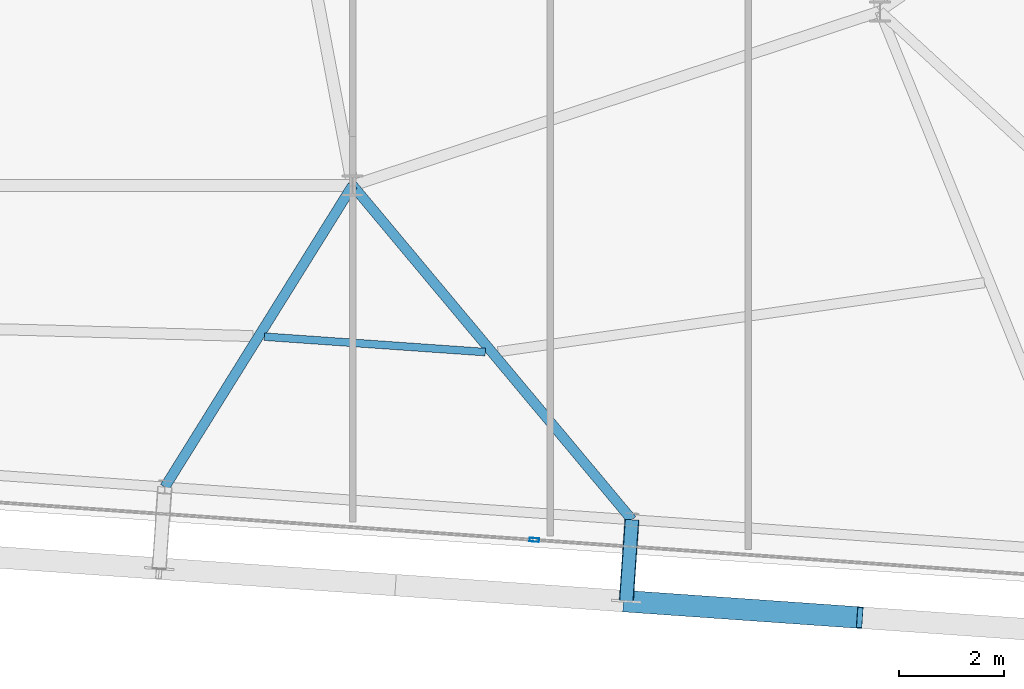
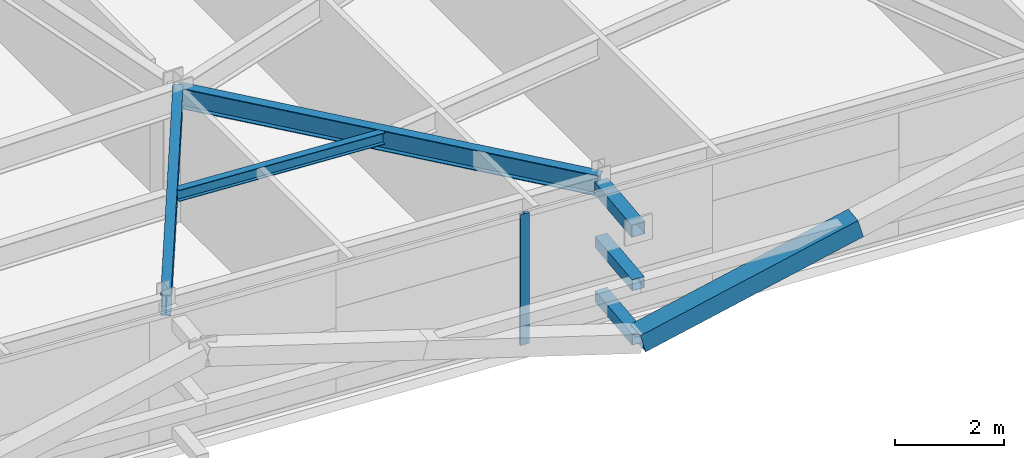
# One storey, part 13 of 39: 5 members, 3 beams, 1 element without a shape of its own.
"""IFC4 building model written with IfcOpenShell, lengths in metres."""

import ifcopenshell
import ifcopenshell.guid

model = None  # the IFC model being written
_history = None  # IfcOwnerHistory: only IFC2X3 demands one
_inside = {}  # id of a spatial element -> (the spatial element, [elements in it])
_under = {}  # id of a project, library or spatial element -> (it, [spatial elements below it])
_declared = {}  # id of a project -> (the project, [libraries it declares])
_typed = {}  # id of a type object -> (the type object, [elements of that type])
_made_of = {}  # id of a material, layer set ... -> (it, [elements and type objects made of it])


def new_model(schema):
    """Start an empty IFC model of exactly this schema.

    Asked for "IFC4X3", IfcOpenShell would pick the latest addendum, in which some entities
    have other attributes; the version numbers below select the first issue.
    IFC2X3 requires an IfcOwnerHistory on every rooted entity: one is made here for all.
    """
    global model, _history
    if schema == "IFC4X3":
        model = ifcopenshell.file(schema_version=(4, 3, 0, 0))
    else:
        model = ifcopenshell.file(schema=schema)
    _inside.clear()
    _under.clear()
    _declared.clear()
    _typed.clear()
    _made_of.clear()
    _history = None
    if model.schema == "IFC2X3":
        org = make("IfcOrganization", Name="unknown")
        user = make(
            "IfcPersonAndOrganization",
            ThePerson=make("IfcPerson", FamilyName="unknown"),
            TheOrganization=org,
        )
        app = make(
            "IfcApplication",
            ApplicationDeveloper=org,
            Version="unknown",
            ApplicationFullName="unknown",
            ApplicationIdentifier="unknown",
        )
        _history = make(
            "IfcOwnerHistory",
            OwningUser=user,
            OwningApplication=app,
            ChangeAction="ADDED",
            CreationDate=0,
        )
    return model


def make(cls, **values):
    """One entity of the class cls with the attributes given. An attribute that is None is left unset."""
    return model.create_entity(
        cls, **{name: value for name, value in values.items() if value is not None}
    )


def rooted(cls, **values):
    """An entity with a GlobalId (a new one), such as an element, a storey or a relation."""
    return make(cls, GlobalId=ifcopenshell.guid.new(), OwnerHistory=_history, **values)


def si_unit(unit_type, name, prefix=None):
    """IfcSIUnit, for example si_unit("LENGTHUNIT", "METRE", prefix="MILLI")."""
    return make("IfcSIUnit", UnitType=unit_type, Prefix=prefix, Name=name)


def assignment(units):
    """IfcUnitAssignment: the units of a project."""
    return None if units is None else make("IfcUnitAssignment", Units=units)


def point(xyz):
    """IfcCartesianPoint."""
    return None if xyz is None else make("IfcCartesianPoint", Coordinates=xyz)


def direction(xyz):
    """IfcDirection."""
    return None if xyz is None else make("IfcDirection", DirectionRatios=xyz)


def frame(location, z_axis=None, x_axis=None):
    """IfcAxis2Placement3D, a coordinate frame: its origin and axes. An axis left out is left unset."""
    return make(
        "IfcAxis2Placement3D",
        Location=point(location),
        Axis=direction(z_axis),
        RefDirection=direction(x_axis),
    )


def frame_2d(location, x_axis=None):
    """IfcAxis2Placement2D, a coordinate frame in the plane: its origin and x axis."""
    return make(
        "IfcAxis2Placement2D", Location=point(location), RefDirection=direction(x_axis)
    )


def origin():
    """The frame at (0, 0, 0) with its axes left unset."""
    return frame((0.0, 0.0, 0.0))


def origin_2d():
    """The frame at (0, 0) in the plane with its x axis left unset."""
    return frame_2d((0.0, 0.0))


def place(relative_to, where):
    """IfcLocalPlacement: puts the frame where relative to a parent placement (None: the world)."""
    return make(
        "IfcLocalPlacement", PlacementRelTo=relative_to, RelativePlacement=where
    )


def context(
    kind, dimensions, precision=None, world=None, true_north=None, identifier=None
):
    """IfcGeometricRepresentationContext, for example the 3D "Model" context."""
    return make(
        "IfcGeometricRepresentationContext",
        ContextIdentifier=identifier,
        ContextType=kind,
        CoordinateSpaceDimension=dimensions,
        Precision=precision,
        WorldCoordinateSystem=world,
        TrueNorth=true_north,
    )


def subcontext(parent, identifier, kind, view, scale=None):
    """IfcGeometricRepresentationSubContext, for example "Body" below "Model"."""
    return make(
        "IfcGeometricRepresentationSubContext",
        ContextIdentifier=identifier,
        ContextType=kind,
        ParentContext=parent,
        TargetScale=scale,
        TargetView=view,
    )


def project(units=None, contexts=None):
    """IfcProject with its units and contexts."""
    return rooted(
        "IfcProject",
        Name="project",
        RepresentationContexts=contexts,
        UnitsInContext=assignment(units),
    )


def spatial(cls, under=None, at=None, **own):
    """A site, building, storey or space (cls), placed at a placement, below another one or the project."""
    s = rooted(cls, ObjectPlacement=at, **own)
    if under is not None:
        _under.setdefault(under.id(), (under, []))[1].append(s)
    return s


def profile(cls, at=None, kind="AREA", **sizes):
    """A parametric profile (cls). Its sizes go by their IFC names, for example OverallWidth=200.0."""
    return make(cls, ProfileType=kind, Position=at, **sizes)


def hollow_rectangle(**sizes):
    """IfcRectangleHollowProfileDef."""
    return profile("IfcRectangleHollowProfileDef", **sizes)


def i_section(**sizes):
    """IfcIShapeProfileDef."""
    return profile("IfcIShapeProfileDef", **sizes)


def extrude(swept, where, along, depth):
    """IfcExtrudedAreaSolid: the profile swept, set in the frame where, extruded along a direction by depth."""
    return make(
        "IfcExtrudedAreaSolid",
        SweptArea=swept,
        Position=where,
        ExtrudedDirection=direction(along),
        Depth=depth,
    )


def shape(context_of_items, identifier, shape_type, items):
    """IfcShapeRepresentation: the items that make up one representation, for example the "Body"."""
    return make(
        "IfcShapeRepresentation",
        ContextOfItems=context_of_items,
        RepresentationIdentifier=identifier,
        RepresentationType=shape_type,
        Items=items,
    )


def source(mapping_origin, context_of_items, identifier, shape_type, items):
    """IfcRepresentationMap: a shape defined once, which mapped items show again and again."""
    return make(
        "IfcRepresentationMap",
        MappingOrigin=mapping_origin,
        MappedRepresentation=shape(context_of_items, identifier, shape_type, items),
    )


def transform(
    local_origin,
    x_axis=None,
    y_axis=None,
    z_axis=None,
    scale=None,
    scale2=None,
    scale3=None,
    uniform=True,
):
    """IfcCartesianTransformationOperator3D, or its non-uniform kind. x_axis, y_axis, z_axis: its Axis1, 2, 3."""
    if uniform:
        return make(
            "IfcCartesianTransformationOperator3D",
            Axis1=direction(x_axis),
            Axis2=direction(y_axis),
            LocalOrigin=point(local_origin),
            Scale=scale,
            Axis3=direction(z_axis),
        )
    return make(
        "IfcCartesianTransformationOperator3DnonUniform",
        Axis1=direction(x_axis),
        Axis2=direction(y_axis),
        LocalOrigin=point(local_origin),
        Scale=scale,
        Axis3=direction(z_axis),
        Scale2=scale2,
        Scale3=scale3,
    )


def mapped(mapping_source, mapping_target):
    """IfcMappedItem: shows the shape of a source again, moved by a transform."""
    return make(
        "IfcMappedItem", MappingSource=mapping_source, MappingTarget=mapping_target
    )


def material(Name=None, Category=None):
    """IfcMaterial."""
    return make("IfcMaterial", Name=Name, Category=Category)


def layer(
    of_material, thickness, ventilated=None, Name=None, Category=None, Priority=None
):
    """IfcMaterialLayer: one layer of a wall or slab, of a material (None: an air gap)."""
    return make(
        "IfcMaterialLayer",
        Material=of_material,
        LayerThickness=thickness,
        IsVentilated=ventilated,
        Name=Name,
        Category=Category,
        Priority=Priority,
    )


def layer_set(layers, Name=None):
    """IfcMaterialLayerSet."""
    return make("IfcMaterialLayerSet", MaterialLayers=layers, LayerSetName=Name)


def material_profile(
    of_material, cross_section, Name=None, Category=None, Priority=None
):
    """IfcMaterialProfile: a cross section and its material."""
    return make(
        "IfcMaterialProfile",
        Name=Name,
        Material=of_material,
        Profile=cross_section,
        Priority=Priority,
        Category=Category,
    )


def profile_set(profiles, Name=None, composite=None):
    """IfcMaterialProfileSet."""
    return make(
        "IfcMaterialProfileSet",
        Name=Name,
        MaterialProfiles=profiles,
        CompositeProfile=composite,
    )


def made_of(thing, what):
    """Note that an element or type object is made of a material, layer set ...; save() writes the relation."""
    if what is not None:
        _made_of.setdefault(what.id(), (what, []))[1].append(thing)
    return thing


def type_object(cls, material=None, **own):
    """A type object (cls), such as IfcWallType, which elements share."""
    return made_of(rooted(cls, **own), material)


def element(
    cls,
    number,
    at=None,
    inside=None,
    cuts=None,
    type_object=None,
    material=None,
    context=None,
    identifier="Body",
    shape_type=None,
    held_by="IfcProductDefinitionShape",
    body=None,
    shapes=None,
    **own,
):
    """One element of the class cls, such as IfcWall. Its Tag is "e" and its number.

    at: its placement. inside: the storey or other place that contains it. cuts: it is an
    opening in that element (IfcRelVoidsElement). A single representation is given by context,
    identifier, shape_type and body (its items); several are given by shapes. held_by: the class
    of the entity that holds the representations. save() writes the other relations.
    """
    e = rooted(cls, Tag="e%d" % number, ObjectPlacement=at, **own)
    if body is not None:
        shapes = [shape(context, identifier, shape_type, body)]
    if shapes is not None:
        e.Representation = make(held_by, Representations=shapes)
    if inside is not None:
        _inside.setdefault(inside.id(), (inside, []))[1].append(e)
    if cuts is not None:
        rooted(
            "IfcRelVoidsElement", RelatingBuildingElement=cuts, RelatedOpeningElement=e
        )
    if type_object is not None:
        _typed.setdefault(type_object.id(), (type_object, []))[1].append(e)
    return made_of(e, material)


def aggregate(whole, parts):
    """IfcRelAggregates: a whole, such as a stair, and the parts it consists of."""
    return rooted("IfcRelAggregates", RelatingObject=whole, RelatedObjects=parts)


def save(model, path):
    """Write the relations noted so far, then the file.

    IfcRelAggregates (storeys below a building ...), IfcRelContainedInSpatialStructure (elements
    in a storey), IfcRelDefinesByType, IfcRelAssociatesMaterial and IfcRelDeclares: one each for
    every whole, place, type object, material and project.
    """
    for whole, parts in _under.values():
        aggregate(whole, parts)
    for where, things in _inside.values():
        rooted(
            "IfcRelContainedInSpatialStructure",
            RelatedElements=things,
            RelatingStructure=where,
        )
    for kind, things in _typed.values():
        rooted("IfcRelDefinesByType", RelatedObjects=things, RelatingType=kind)
    for what, things in _made_of.values():
        rooted("IfcRelAssociatesMaterial", RelatedObjects=things, RelatingMaterial=what)
    for by, libraries in _declared.values():
        rooted("IfcRelDeclares", RelatingContext=by, RelatedDefinitions=libraries)
    model.write(path)


model = new_model("IFC4")

# Units and contexts
model_context = context("Model", 3, precision=1e-05, world=origin(), true_north=direction((0.0, 1.0)))
body_context = subcontext(model_context, "Body", "Model", "MODEL_VIEW")
ifc_project = project(units=[si_unit("LENGTHUNIT", "METRE"), si_unit("AREAUNIT", "SQUARE_METRE"), si_unit("VOLUMEUNIT", "CUBIC_METRE"), si_unit("PLANEANGLEUNIT", "RADIAN"), si_unit("MASSUNIT", "GRAM", prefix="KILO")], contexts=[model_context])

# Site, building, storey
site_placement = place(None, origin())
site = spatial("IfcSite", under=ifc_project, at=site_placement, CompositionType="ELEMENT")
building_placement = place(site_placement, origin())
building = spatial("IfcBuilding", under=site, at=building_placement, Name="Taldren Reach Tower", CompositionType="ELEMENT")
storey_placement = place(building_placement, frame((0.0, 0.0, 151.89990234375)))
storey = spatial("IfcBuildingStorey", under=building, at=storey_placement, Name="L46", CompositionType="ELEMENT", Elevation=151.89990234375)

# Members
ifc_material_1 = material(Name="Steel Gr 450 (C450L0)", Category="steel")
ifc_material_profile_1 = material_profile(ifc_material_1, hollow_rectangle(XDim=0.27490234375, YDim=0.27490234375, WallThickness=0.00927734375, at=origin_2d()), Name="275x275x9.3SHS")
ifc_profile_set_1 = profile_set([ifc_material_profile_1], Name="Steel Gr 450 (C450L0)")
member_type_1 = type_object("IfcMemberType", Name="MB-TIE273", PredefinedType="STRUT", material=ifc_profile_set_1)
shared_shape_1 = source(origin(), body_context, "Body", "SweptSolid", [
    extrude(hollow_rectangle(XDim=0.27490234375, YDim=0.27490234375, WallThickness=0.00927734375, at=origin_2d()), origin(), (0.0, 0.0, 1.0), 1.5498046875),
])
member_1_placement = place(storey_placement, frame((47.297119140625, 2.860595703125, 2.650146484375), z_axis=(-0.069780535098, -0.997562367434, 0.0), x_axis=(0.997562367434, -0.069780535098, 0.0)))
element("IfcMember", 1, at=member_1_placement, inside=storey, type_object=member_type_1, Name="Exoskeleton diaphragm tie strut B3-S5 L46", PredefinedType="STRUT", context=body_context, shape_type="MappedRepresentation", body=[
    mapped(shared_shape_1, transform((0.0, 0.0, 0.0), scale=1.0)),
])
ifc_material_2 = material(Name="Steel Gr 350 (C350L0)", Category="steel")
ifc_material_profile_2 = material_profile(ifc_material_2, hollow_rectangle(XDim=0.25, YDim=0.25, WallThickness=0.010009765625, at=origin_2d()), Name="250x250x10.0SHS")
ifc_profile_set_2 = profile_set([ifc_material_profile_2], Name="Steel Gr 350 (C350L0)")
member_type_2 = type_object("IfcMemberType", Name="MB-POST250", PredefinedType="POST", material=ifc_profile_set_2)
shared_shape_2 = source(origin(), body_context, "Body", "SweptSolid", [
    extrude(hollow_rectangle(XDim=0.25, YDim=0.25, WallThickness=0.010009765625, at=origin_2d()), origin(), (0.0, 0.0, 1.0), 1.5498046875),
])
for number, where, z_axis, x_axis, name in (
    (2, (47.297119140625, 2.860595703125, 0.22021484375), (-0.069780535098, -0.997562367434, 0.0), (0.997562367434, -0.069780535098, 0.0), "Exoskeleton base diaphragm tie strut B3-S5 L46"),
    (3, (47.297119140625, 2.860595703125, 1.43505859375), (-0.069780535098, -0.997562367434, 0.0), (0.997562367434, -0.069780535098, 0.0), "Exoskeleton mid-tier diaphragm tie B3-S5 L46"),
):
    element("IfcMember", number, at=place(storey_placement, frame(where, z_axis=z_axis, x_axis=x_axis)), inside=storey, type_object=member_type_2, Name=name, PredefinedType="POST", context=body_context, shape_type="MappedRepresentation", body=[
        mapped(shared_shape_2, transform((0.0, 0.0, 0.0), scale=1.0)),
    ])

# Beams
ifc_material_3 = material(Name="Steel Gr 350 (350PLUS)", Category="steel")
ifc_material_profile_3 = material_profile(ifc_material_3, i_section(OverallWidth=0.19091796875, OverallDepth=0.4599609375, WebThickness=0.010009765625, FlangeThickness=0.01611328125, at=origin_2d()), Name="460UB82.1")
ifc_profile_set_3 = profile_set([ifc_material_profile_3], Name="Steel Gr 350 (350PLUS)")
beam_type_1 = type_object("IfcBeamType", Name="BM-UB460A", PredefinedType="BEAM", material=ifc_profile_set_3)
shared_shape_3 = source(origin(), body_context, "Body", "SweptSolid", [
    extrude(i_section(OverallWidth=0.19091796875, OverallDepth=0.4599609375, WebThickness=0.010009765625, FlangeThickness=0.01611328125, at=origin_2d()), origin(), (0.0, 0.0, 1.0), 6.73779296875),
])
beam_1_placement = place(storey_placement, frame((42.0, 9.199951171875, 2.7001953125), z_axis=(-0.528552048024, -0.848900896765, 0.0), x_axis=(0.848900896765, -0.528552048024, 0.0)))
element("IfcBeam", 4, at=beam_1_placement, inside=storey, type_object=beam_type_1, Name="Primary floor girder B3-S4 L46", PredefinedType="BEAM", context=body_context, shape_type="MappedRepresentation", body=[
    mapped(shared_shape_3, transform((0.0, 0.0, 0.0), scale=1.0)),
])
shared_shape_4 = source(origin(), body_context, "Body", "SweptSolid", [
    extrude(i_section(OverallWidth=0.19091796875, OverallDepth=0.4599609375, WebThickness=0.010009765625, FlangeThickness=0.01611328125, at=origin_2d()), origin(), (0.0, 0.0, 1.0), 8.26123046875),
])
beam_2_placement = place(storey_placement, frame((42.0, 9.199951171875, 2.7001953125), z_axis=(0.64120703686, -0.767367927322, 0.0), x_axis=(0.767367927322, 0.64120703686, 0.0)))
element("IfcBeam", 5, at=beam_2_placement, inside=storey, type_object=beam_type_1, Name="Primary floor girder B3-S5 L46", PredefinedType="BEAM", context=body_context, shape_type="MappedRepresentation", body=[
    mapped(shared_shape_4, transform((0.0, 0.0, 0.0), scale=1.0)),
])
ifc_material_4 = material(Name="Steel Gr 300 (300PLUS, 300 MPa)", Category="steel")
ifc_material_profile_4 = material_profile(ifc_material_4, i_section(OverallWidth=0.14599609375, OverallDepth=0.256103515625, WebThickness=0.00634765625, FlangeThickness=0.010986328125, at=origin_2d()), Name="250UB37.3")
ifc_profile_set_4 = profile_set([ifc_material_profile_4], Name="Steel Gr 300 (300PLUS, 300 MPa)")
beam_type_2 = type_object("IfcBeamType", Name="JS-UB250", PredefinedType="JOIST", material=ifc_profile_set_4)
shared_shape_5 = source(origin(), body_context, "Body", "SweptSolid", [
    extrude(i_section(OverallWidth=0.14599609375, OverallDepth=0.256103515625, WebThickness=0.00634765625, FlangeThickness=0.010986328125, at=origin_2d()), origin(), (0.0, 0.0, 1.0), 4.199462890625),
])
beam_3_placement = place(storey_placement, frame((40.3271484375, 6.33251953125, 2.802001953125), z_axis=(0.99756354117, -0.069763753681, 0.0), x_axis=(0.069763753681, 0.99756354117, 0.0)))
element("IfcBeam", 6, at=beam_3_placement, inside=storey, type_object=beam_type_2, Name="Secondary floor joist B3 J4 L46", PredefinedType="JOIST", context=body_context, shape_type="MappedRepresentation", body=[
    mapped(shared_shape_5, transform((0.0, 0.0, 0.0), scale=1.0)),
])

# Member
ifc_material_profile_5 = material_profile(ifc_material_1, hollow_rectangle(XDim=0.409912109375, YDim=0.409912109375, WallThickness=0.01611328125, at=origin_2d()), Name="410x410x16.0SHS")
ifc_profile_set_5 = profile_set([ifc_material_profile_5], Name="Steel Gr 450 (C450L0)")
member_type_3 = type_object("IfcMemberType", Name="MB-EXO406", PredefinedType="BRACE", material=ifc_profile_set_5)
shared_shape_6 = source(origin(), body_context, "Body", "SweptSolid", [
    extrude(hollow_rectangle(XDim=0.409912109375, YDim=0.409912109375, WallThickness=0.01611328125, at=origin_2d()), origin(), (0.0, 0.0, 1.0), 4.603271484375),
])
member_2_placement = place(storey_placement, frame((47.18896484375, 1.314453125, 0.22021484375), z_axis=(0.962195820062, -0.067303852699, 0.263911718699), x_axis=(0.06977769246, 0.997562566276, 0.0)))
element("IfcMember", 7, at=member_2_placement, inside=storey, type_object=member_type_3, Name="Exoskeleton Diagrid Brace B3-S5 L46", PredefinedType="BRACE", context=body_context, shape_type="MappedRepresentation", body=[
    mapped(shared_shape_6, transform((0.0, 0.0, 0.0), scale=1.0)),
])

# Curtain wall, member
ifc_material_5 = material(Name="Aluminium and Low-E Glass Unitised System", Category="aluminium")
ifc_layer = layer(ifc_material_5, 0.159912109375)
ifc_layer_set = layer_set([ifc_layer], Name="Aluminium and Low-E Glass Unitised System")
curtain_wall_type = type_object("IfcCurtainWallType", Name="CW-SYS-4", PredefinedType="NOTDEFINED", material=ifc_layer_set)
curtain_wall_placement = place(storey_placement, origin())
curtain_wall = element("IfcCurtainWall", 8, at=curtain_wall_placement, inside=storey, type_object=curtain_wall_type, Name="Unitised curtain wall CW-L46-S", PredefinedType="NOTDEFINED")
ifc_material_6 = material(Name="Anodised Aluminium 6063-T6", Category="aluminium")
ifc_material_profile_6 = material_profile(ifc_material_6, hollow_rectangle(XDim=0.070068359375, YDim=0.179931640625, WallThickness=0.00390625, at=origin_2d()), Name="ALU-180x70x4RHS")
ifc_profile_set_6 = profile_set([ifc_material_profile_6], Name="Anodised Aluminium 6063-T6")
member_type_4 = type_object("IfcMemberType", Name="CW-MUL-180", PredefinedType="MULLION", material=ifc_profile_set_6)
shared_shape_7 = source(origin(), body_context, "Body", "SweptSolid", [
    extrude(hollow_rectangle(XDim=0.070068359375, YDim=0.179931640625, WallThickness=0.00390625, at=origin_2d()), origin(), (0.0, 0.0, 1.0), 2.93017578125),
])
member_3_placement = place(storey_placement, frame((45.44580078125, 2.478759765625, 0.0), z_axis=(0.0, 0.0, 1.0), x_axis=(0.06975651593, 0.99756404731, 0.0)))
member_3 = element("IfcMember", 9, at=member_3_placement, type_object=member_type_4, Name="CW-4 mullion 4", PredefinedType="MULLION", context=body_context, shape_type="MappedRepresentation", body=[
    mapped(shared_shape_7, transform((0.0, 0.0, 0.0), scale=1.0)),
])
aggregate(curtain_wall, [member_3])

save(model, "model.ifc")
